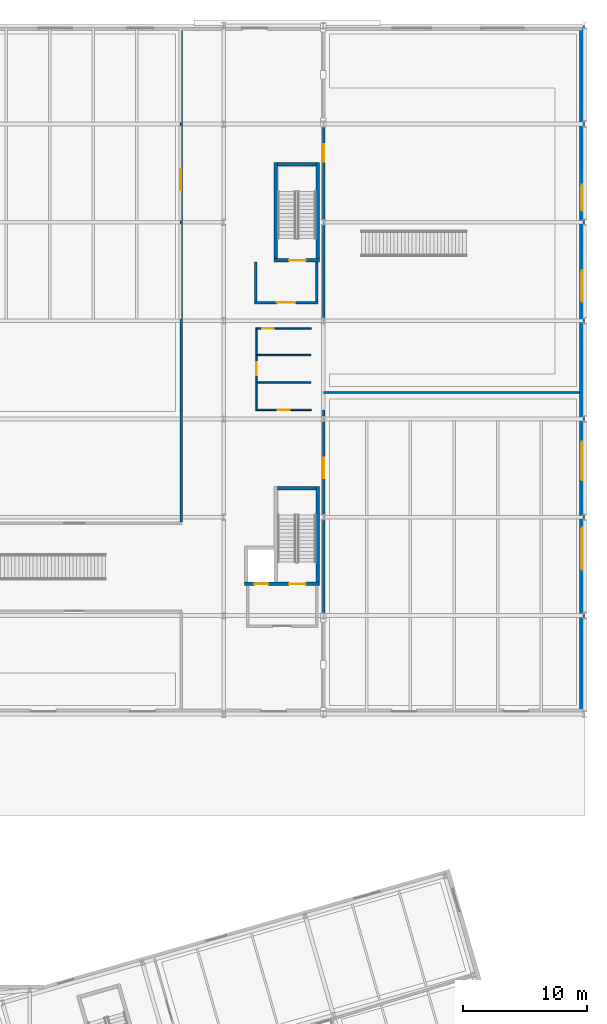
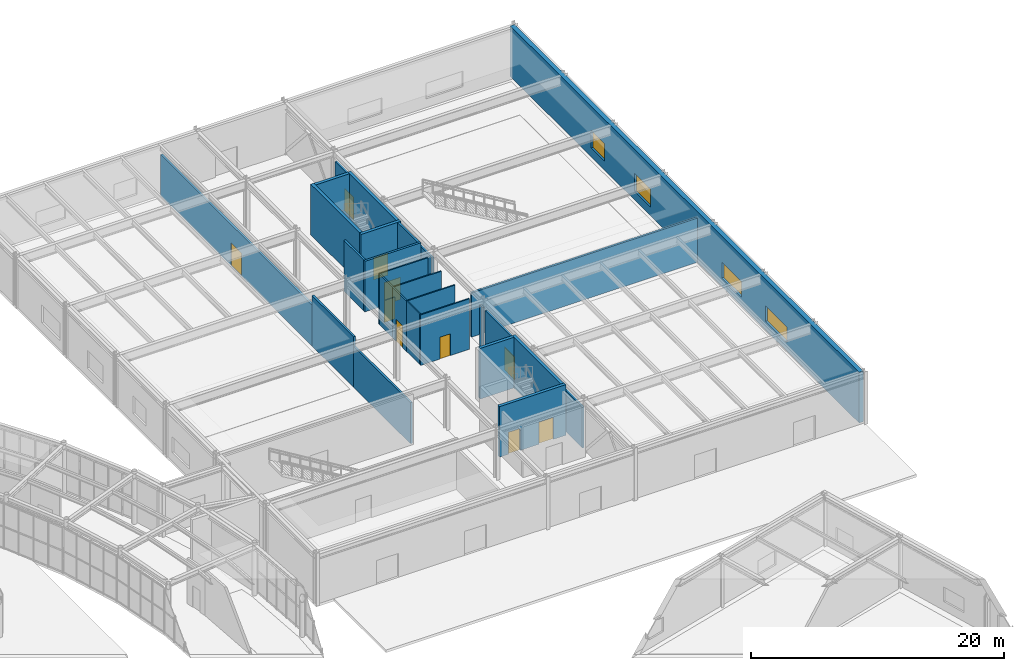
# One storey, part 79 of 97: 27 walls, 10 doors, 4 windows, 14 openings.
"""IFC4 building model written with IfcOpenShell, lengths in metres."""

from ifc_helpers import new_model, si_unit, direction, frame, frame_2d, origin, place, context, subcontext, project, spatial, rectangle, extrude, material, layer, layer_set, type_object, element, fill, save


model = new_model("IFC4")

# Units and contexts
model_context = context("Model", 3, precision=1e-05, world=origin(), true_north=direction((0.0, 1.0)))
body_context = subcontext(model_context, "Body", "Model", "MODEL_VIEW")
ifc_project = project(units=[si_unit("LENGTHUNIT", "METRE"), si_unit("AREAUNIT", "SQUARE_METRE"), si_unit("VOLUMEUNIT", "CUBIC_METRE"), si_unit("PLANEANGLEUNIT", "RADIAN"), si_unit("MASSUNIT", "GRAM", prefix="KILO")], contexts=[model_context])

# Site, building, storey
site_placement = place(None, origin())
site = spatial("IfcSite", under=ifc_project, at=site_placement, CompositionType="ELEMENT")
building_placement = place(site_placement, origin())
building = spatial("IfcBuilding", under=site, at=building_placement, Name="Varnklinge Art Gallery", CompositionType="ELEMENT")
storey_placement = place(building_placement, origin())
storey = spatial("IfcBuildingStorey", under=building, at=storey_placement, Name="L00", CompositionType="ELEMENT", Elevation=0.0)

# Wall, openings, windows
ifc_material_1 = material(Name="Concrete C45/55", Category="concrete")
ifc_layer_1 = layer(ifc_material_1, 0.39990234375)
ifc_layer_set_1 = layer_set([ifc_layer_1], Name="Concrete C45/55")
wall_type_1 = type_object("IfcWallType", Name="EW-40", PredefinedType="SOLIDWALL", material=ifc_layer_set_1)
wall_1_placement = place(storey_placement, frame((164.199951171875, 113.5, 0.0), z_axis=(0.0, 0.0, 1.0), x_axis=(0.0, -1.0, 0.0)))
wall_1 = element("IfcWall", 1, at=wall_1_placement, inside=storey, type_object=wall_type_1, Name="L00 Exterior Wall EW-V1-L00-04", PredefinedType="SOLIDWALL", context=body_context, shape_type="SweptSolid", body=[
    extrude(rectangle(XDim=55.10009765625, YDim=0.39990234375, at=frame_2d((27.550048828125, 0.0))), origin(), (0.0, 0.0, 1.0), 4.8798828125),
])
opening_1_placement = place(wall_1_placement, frame((12.77490234375, 0.0, 0.85009765625)))
opening_1 = element("IfcOpeningElement", 2, at=opening_1_placement, cuts=wall_1, Name="Opening WN-12", PredefinedType="OPENING", context=body_context, shape_type="SweptSolid", body=[
    extrude(rectangle(XDim=2.10009765625, YDim=1.699951171875, at=frame_2d((1.050048828125, 0.85009765625))), frame((0.0, 0.2099609375, 0.0), z_axis=(0.0, -1.0, 0.0), x_axis=(1.0, 0.0, 0.0)), (0.0, 0.0, 1.0), 0.419921875),
])
opening_2_placement = place(wall_1_placement, frame((19.66259765625, 0.0, 0.85009765625)))
opening_2 = element("IfcOpeningElement", 3, at=opening_2_placement, cuts=wall_1, Name="Opening WN-13", PredefinedType="OPENING", context=body_context, shape_type="SweptSolid", body=[
    extrude(rectangle(XDim=2.5, YDim=1.699951171875, at=frame_2d((1.25, 0.85009765625))), frame((0.0, 0.2099609375, 0.0), z_axis=(0.0, -1.0, 0.0), x_axis=(1.0, 0.0, 0.0)), (0.0, 0.0, 1.0), 0.419921875),
])
opening_3_placement = place(wall_1_placement, frame((33.4375, 0.0, 0.85009765625)))
opening_3 = element("IfcOpeningElement", 4, at=opening_3_placement, cuts=wall_1, Name="Opening WN-19", PredefinedType="OPENING", context=body_context, shape_type="SweptSolid", body=[
    extrude(rectangle(XDim=3.10009765625, YDim=1.5, at=frame_2d((1.550048828125, 0.75))), frame((0.0, 0.2099609375, 0.0), z_axis=(0.0, -1.0, 0.0), x_axis=(1.0, 0.0, 0.0)), (0.0, 0.0, 1.0), 0.419921875),
])
opening_4_placement = place(wall_1_placement, frame((40.324951171875, 0.0, 0.85009765625)))
opening_4 = element("IfcOpeningElement", 5, at=opening_4_placement, cuts=wall_1, Name="Opening WN-20", PredefinedType="OPENING", context=body_context, shape_type="SweptSolid", body=[
    extrude(rectangle(XDim=3.39990234375, YDim=1.5, at=frame_2d((1.699951171875, 0.75))), frame((0.0, 0.2099609375, 0.0), z_axis=(0.0, -1.0, 0.0), x_axis=(1.0, 0.0, 0.0)), (0.0, 0.0, 1.0), 0.419921875),
])
ifc_material_2 = material(Name="Insulated Low-E Triple Glazing", Category="glass")
window_type_1 = type_object("IfcWindowType", Name="WN-12", PartitioningType="SINGLE_PANEL", PredefinedType="WINDOW", material=ifc_material_2)
window_1_placement = place(opening_1_placement, origin())
window_1 = element("IfcWindow", 6, at=window_1_placement, inside=storey, type_object=window_type_1, Name="L00 Window WIN-L00-009", OverallHeight=1.699951171875, OverallWidth=2.10009765625, PartitioningType="SINGLE_PANEL", PredefinedType="WINDOW", context=body_context, shape_type="SweptSolid", body=[
    extrude(rectangle(XDim=2.10009765625, YDim=1.699951171875, at=frame_2d((1.050048828125, 0.85009765625))), frame((0.0, 0.030029296875, 0.0), z_axis=(0.0, -1.0, 0.0), x_axis=(1.0, 0.0, 0.0)), (0.0, 0.0, 1.0), 0.06005859375),
])
fill(opening_1, window_1)
ifc_material_3 = material(Name="Insulated Low-E Triple Glazing", Category="glass")
window_type_2 = type_object("IfcWindowType", Name="WN-13", PartitioningType="SINGLE_PANEL", PredefinedType="WINDOW", material=ifc_material_3)
window_2_placement = place(opening_2_placement, origin())
window_2 = element("IfcWindow", 7, at=window_2_placement, inside=storey, type_object=window_type_2, Name="L00 Window WIN-L00-010", OverallHeight=1.699951171875, OverallWidth=2.5, PartitioningType="SINGLE_PANEL", PredefinedType="WINDOW", context=body_context, shape_type="SweptSolid", body=[
    extrude(rectangle(XDim=2.5, YDim=1.699951171875, at=frame_2d((1.25, 0.85009765625))), frame((0.0, 0.030029296875, 0.0), z_axis=(0.0, -1.0, 0.0), x_axis=(1.0, 0.0, 0.0)), (0.0, 0.0, 1.0), 0.06005859375),
])
fill(opening_2, window_2)
ifc_material_4 = material(Name="Insulated Low-E Triple Glazing", Category="glass")
window_type_3 = type_object("IfcWindowType", Name="WN-19", PartitioningType="SINGLE_PANEL", PredefinedType="WINDOW", material=ifc_material_4)
window_3_placement = place(opening_3_placement, origin())
window_3 = element("IfcWindow", 8, at=window_3_placement, inside=storey, type_object=window_type_3, Name="L00 Window WIN-L00-011", OverallHeight=1.5, OverallWidth=3.10009765625, PartitioningType="SINGLE_PANEL", PredefinedType="WINDOW", context=body_context, shape_type="SweptSolid", body=[
    extrude(rectangle(XDim=3.10009765625, YDim=1.5, at=frame_2d((1.550048828125, 0.75))), frame((0.0, 0.030029296875, 0.0), z_axis=(0.0, -1.0, 0.0), x_axis=(1.0, 0.0, 0.0)), (0.0, 0.0, 1.0), 0.06005859375),
])
fill(opening_3, window_3)
ifc_material_5 = material(Name="Insulated Low-E Triple Glazing", Category="glass")
window_type_4 = type_object("IfcWindowType", Name="WN-20", PartitioningType="SINGLE_PANEL", PredefinedType="WINDOW", material=ifc_material_5)
window_4_placement = place(opening_4_placement, origin())
window_4 = element("IfcWindow", 9, at=window_4_placement, inside=storey, type_object=window_type_4, Name="L00 Window WIN-L00-012", OverallHeight=1.5, OverallWidth=3.39990234375, PartitioningType="SINGLE_PANEL", PredefinedType="WINDOW", context=body_context, shape_type="SweptSolid", body=[
    extrude(rectangle(XDim=3.39990234375, YDim=1.5, at=frame_2d((1.699951171875, 0.75))), frame((0.0, 0.030029296875, 0.0), z_axis=(0.0, -1.0, 0.0), x_axis=(1.0, 0.0, 0.0)), (0.0, 0.0, 1.0), 0.06005859375),
])
fill(opening_4, window_4)

# Wall, opening, door
ifc_material_6 = material(Name="Gypsum Board Partition", Category="gypsum")
ifc_layer_2 = layer(ifc_material_6, 0.1201171875)
ifc_layer_set_2 = layer_set([ifc_layer_2], Name="Gypsum Board Partition")
wall_type_2 = type_object("IfcWallType", Name="IW-12", PredefinedType="PARTITIONING", material=ifc_layer_set_2)
wall_2_placement = place(storey_placement, frame((137.969970703125, 82.6298828125, 0.0), z_axis=(0.0, 0.0, 1.0), x_axis=(1.0, 0.0, 0.0)))
wall_2 = element("IfcWall", 10, at=wall_2_placement, inside=storey, type_object=wall_type_2, Name="L00 Partition Wall IW-L00-0040", PredefinedType="PARTITIONING", context=body_context, shape_type="SweptSolid", body=[
    extrude(rectangle(XDim=4.4599609375, YDim=0.1201171875, at=frame_2d((2.22998046875, 0.0))), origin(), (0.0, 0.0, 1.0), 4.8701171875),
])
opening_5_placement = place(wall_2_placement, frame((1.75, 0.0, 0.0)))
opening_5 = element("IfcOpeningElement", 11, at=opening_5_placement, cuts=wall_2, Name="Opening D-L00-133", PredefinedType="OPENING", context=body_context, shape_type="SweptSolid", body=[
    extrude(rectangle(XDim=0.9599609375, YDim=2.10009765625, at=frame_2d((0.47998046875, 1.050048828125))), frame((0.0, 0.070068359375, 0.0), z_axis=(0.0, -1.0, 0.0), x_axis=(1.0, 0.0, 0.0)), (0.0, 0.0, 1.0), 0.14013671875),
])
ifc_material_7 = material(Name="Oak Timber Leaf", Category="wood")
door_type_1 = type_object("IfcDoorType", Name="ID-02", OperationType="SINGLE_SWING_RIGHT", PredefinedType="DOOR", material=ifc_material_7)
door_1_placement = place(opening_5_placement, origin())
door_1 = element("IfcDoor", 12, at=door_1_placement, inside=storey, type_object=door_type_1, Name="L00 L00 Accessible WC East Door D-L00-133", OperationType="SINGLE_SWING_LEFT", OverallHeight=2.10009765625, OverallWidth=0.9599609375, PredefinedType="DOOR", context=body_context, shape_type="SweptSolid", body=[
    extrude(rectangle(XDim=0.9599609375, YDim=2.10009765625, at=frame_2d((0.47998046875, 1.050048828125))), frame((0.0, 0.02490234375, 0.0), z_axis=(0.0, -1.0, 0.0), x_axis=(1.0, 0.0, 0.0)), (0.0, 0.0, 1.0), 0.050048828125),
])
fill(opening_5, door_1)

wall_3_placement = place(storey_placement, frame((142.429931640625, 89.169921875, 0.0), z_axis=(0.0, 0.0, 1.0), x_axis=(-1.0, 0.0, 0.0)))
wall_3 = element("IfcWall", 13, at=wall_3_placement, inside=storey, type_object=wall_type_2, Name="L00 Partition Wall IW-L00-0047", PredefinedType="PARTITIONING", context=body_context, shape_type="SweptSolid", body=[
    extrude(rectangle(XDim=4.4599609375, YDim=0.1201171875, at=frame_2d((2.22998046875, 0.0))), origin(), (0.0, 0.0, 1.0), 4.8701171875),
])
opening_6_placement = place(wall_3_placement, frame((2.998779296875, 0.0, 0.0)))
opening_6 = element("IfcOpeningElement", 14, at=opening_6_placement, cuts=wall_3, Name="Opening D-L00-135", PredefinedType="OPENING", context=body_context, shape_type="SweptSolid", body=[
    extrude(rectangle(XDim=0.9599609375, YDim=2.10009765625, at=frame_2d((0.47998046875, 1.050048828125))), frame((0.0, 0.070068359375, 0.0), z_axis=(0.0, -1.0, 0.0), x_axis=(1.0, 0.0, 0.0)), (0.0, 0.0, 1.0), 0.14013671875),
])
door_2_placement = place(opening_6_placement, origin())
door_2 = element("IfcDoor", 15, at=door_2_placement, inside=storey, type_object=door_type_1, Name="L00 L00 Public Male Toilet Door D-L00-135", OperationType="SINGLE_SWING_LEFT", OverallHeight=2.10009765625, OverallWidth=0.9599609375, PredefinedType="DOOR", context=body_context, shape_type="SweptSolid", body=[
    extrude(rectangle(XDim=0.9599609375, YDim=2.10009765625, at=frame_2d((0.47998046875, 1.050048828125))), frame((0.0, 0.02490234375, 0.0), z_axis=(0.0, -1.0, 0.0), x_axis=(1.0, 0.0, 0.0)), (0.0, 0.0, 1.0), 0.050048828125),
])
fill(opening_6, door_2)

# Wall
wall_4_placement = place(storey_placement, frame((138.030029296875, 84.830078125, 0.0), z_axis=(0.0, 0.0, 1.0), x_axis=(0.0, -1.0, 0.0)))
element("IfcWall", 16, at=wall_4_placement, inside=storey, type_object=wall_type_2, Name="L00 Partition Wall IW-L00-0052", PredefinedType="PARTITIONING", context=body_context, shape_type="SweptSolid", body=[
    extrude(rectangle(XDim=2.125, YDim=0.1201171875, at=frame_2d((1.0625, 0.0))), origin(), (0.0, 0.0, 1.0), 4.8701171875),
])

# Wall, opening, door
wall_5_placement = place(storey_placement, frame((138.030029296875, 87.030029296875, 0.0), z_axis=(0.0, 0.0, 1.0), x_axis=(0.0, -1.0, 0.0)))
wall_5 = element("IfcWall", 17, at=wall_5_placement, inside=storey, type_object=wall_type_2, Name="L00 Partition Wall IW-L00-0053", PredefinedType="PARTITIONING", context=body_context, shape_type="SweptSolid", body=[
    extrude(rectangle(XDim=2.199951171875, YDim=0.1201171875, at=frame_2d((1.10009765625, 0.0))), origin(), (0.0, 0.0, 1.0), 4.8701171875),
])
opening_7_placement = place(wall_5_placement, frame((0.590087890625, 0.0, 0.0)))
opening_7 = element("IfcOpeningElement", 18, at=opening_7_placement, cuts=wall_5, Name="Opening D-L00-138", PredefinedType="OPENING", context=body_context, shape_type="SweptSolid", body=[
    extrude(rectangle(XDim=1.02001953125, YDim=2.1201171875, at=frame_2d((0.510009765625, 1.06005859375))), frame((0.0, 0.070068359375, 0.0), z_axis=(0.0, -1.0, 0.0), x_axis=(1.0, 0.0, 0.0)), (0.0, 0.0, 1.0), 0.14013671875),
])
ifc_material_8 = material(Name="Oak Timber Leaf", Category="wood")
door_type_2 = type_object("IfcDoorType", Name="ID-03", OperationType="SINGLE_SWING_LEFT", PredefinedType="DOOR", material=ifc_material_8)
door_3_placement = place(opening_7_placement, origin())
door_3 = element("IfcDoor", 19, at=door_3_placement, inside=storey, type_object=door_type_2, Name="L00 L00 Public Female Toilet Door D-L00-138", OperationType="SINGLE_SWING_RIGHT", OverallHeight=2.1201171875, OverallWidth=1.02001953125, PredefinedType="DOOR", context=body_context, shape_type="SweptSolid", body=[
    extrude(rectangle(XDim=1.02001953125, YDim=2.1201171875, at=frame_2d((0.510009765625, 1.06005859375))), frame((0.0, 0.02490234375, 0.0), z_axis=(0.0, -1.0, 0.0), x_axis=(1.0, 0.0, 0.0)), (0.0, 0.0, 1.0), 0.050048828125),
])
fill(opening_7, door_3)

# Walls
wall_6_placement = place(storey_placement, frame((138.030029296875, 89.094970703125, 0.0), z_axis=(0.0, 0.0, 1.0), x_axis=(0.0, -1.0, 0.0)))
element("IfcWall", 20, at=wall_6_placement, inside=storey, type_object=wall_type_2, Name="L00 Partition Wall IW-L00-0054", PredefinedType="PARTITIONING", context=body_context, shape_type="SweptSolid", body=[
    extrude(rectangle(XDim=2.06494140625, YDim=0.1201171875, at=frame_2d((1.032470703125, 0.0))), origin(), (0.0, 0.0, 1.0), 4.8701171875),
])
for number, where, z_axis, x_axis, name in (
    (21, (138.10498046875, 84.830078125, 0.0), (0.0, 0.0, 1.0), (1.0, 0.0, 0.0), "L00 Partition Wall IW-L00-0128"),
    (22, (138.10498046875, 87.030029296875, 0.0), (0.0, 0.0, 1.0), (1.0, 0.0, 0.0), "L00 Partition Wall IW-L00-0129"),
):
    element("IfcWall", number, at=place(storey_placement, frame(where, z_axis=z_axis, x_axis=x_axis)), inside=storey, type_object=wall_type_2, Name=name, PredefinedType="PARTITIONING", context=body_context, shape_type="SweptSolid", body=[
        extrude(rectangle(XDim=4.294921875, YDim=0.1201171875, at=frame_2d((2.1474609375, 0.0))), origin(), (0.0, 0.0, 1.0), 4.8701171875),
    ])
ifc_material_9 = material(Name="Gypsum Board Partition", Category="gypsum")
ifc_layer_3 = layer(ifc_material_9, 0.179931640625)
ifc_layer_set_3 = layer_set([ifc_layer_3], Name="Gypsum Board Partition")
wall_type_3 = type_object("IfcWallType", Name="IW-18", PredefinedType="PARTITIONING", material=ifc_layer_set_3)
wall_7_placement = place(storey_placement, frame((131.969970703125, 73.635009765625, 0.0), z_axis=(0.0, 0.0, 1.0), x_axis=(0.0, 1.0, 0.0)))
element("IfcWall", 23, at=wall_7_placement, inside=storey, type_object=wall_type_3, Name="L00 Partition Wall IW-L00-0042", PredefinedType="PARTITIONING", context=body_context, shape_type="SweptSolid", body=[
    extrude(rectangle(XDim=8.965087890625, YDim=0.179931640625, at=frame_2d((4.482421875, 0.0))), origin(), (0.0, 0.0, 1.0), 3.9599609375),
])

# Wall, opening, door
wall_8_placement = place(storey_placement, frame((143.429931640625, 81.662109375, 0.0), z_axis=(0.0, 0.0, 1.0), x_axis=(0.0, -1.0, 0.0)))
wall_8 = element("IfcWall", 24, at=wall_8_placement, inside=storey, type_object=wall_type_3, Name="L00 Partition Wall IW-L00-0043", PredefinedType="PARTITIONING", context=body_context, shape_type="SweptSolid", body=[
    extrude(rectangle(XDim=7.42431640625, YDim=0.179931640625, at=frame_2d((3.712158203125, 0.0))), origin(), (0.0, 0.0, 1.0), 3.9599609375),
])
opening_8_placement = place(wall_8_placement, frame((2.89208984375, 0.0, 0.0)))
opening_8 = element("IfcOpeningElement", 25, at=opening_8_placement, cuts=wall_8, Name="Opening D-L00-134", PredefinedType="OPENING", context=body_context, shape_type="SweptSolid", body=[
    extrude(rectangle(XDim=1.639892578125, YDim=2.199951171875, at=frame_2d((0.81982421875, 1.10009765625))), frame((0.0, 0.099853515625, 0.0), z_axis=(0.0, -1.0, 0.0), x_axis=(1.0, 0.0, 0.0)), (0.0, 0.0, 1.0), 0.199951171875),
])
ifc_material_10 = material(Name="Oak Timber Leaf", Category="wood")
door_type_3 = type_object("IfcDoorType", Name="ID-08", OperationType="DOUBLE_DOOR_SINGLE_SWING", PredefinedType="DOOR", material=ifc_material_10)
door_4_placement = place(opening_8_placement, origin())
door_4 = element("IfcDoor", 26, at=door_4_placement, inside=storey, type_object=door_type_3, Name="L00 L00 Special Loan Exhibition Gallery Door D-L00-134", OperationType="DOUBLE_DOOR_SINGLE_SWING", OverallHeight=2.199951171875, OverallWidth=1.639892578125, PredefinedType="DOOR", context=body_context, shape_type="SweptSolid", body=[
    extrude(rectangle(XDim=1.639892578125, YDim=2.199951171875, at=frame_2d((0.81982421875, 1.10009765625))), frame((0.0, 0.02490234375, 0.0), z_axis=(0.0, -1.0, 0.0), x_axis=(1.0, 0.0, 0.0)), (0.0, 0.0, 1.0), 0.050048828125),
])
fill(opening_8, door_4)

# Walls
wall_9_placement = place(storey_placement, frame((143.429931640625, 73.76220703125, 0.0), z_axis=(0.0, 0.0, 1.0), x_axis=(0.0, -1.0, 0.0)))
element("IfcWall", 27, at=wall_9_placement, inside=storey, type_object=wall_type_3, Name="L00 Partition Wall IW-L00-0044", PredefinedType="PARTITIONING", context=body_context, shape_type="SweptSolid", body=[
    extrude(rectangle(XDim=7.42431640625, YDim=0.179931640625, at=frame_2d((3.712158203125, 0.0))), origin(), (0.0, 0.0, 1.0), 3.9599609375),
])
wall_10_placement = place(storey_placement, frame((143.429931640625, 82.602783203125, 0.0), z_axis=(0.0, 0.0, 1.0), x_axis=(0.0, -1.0, 0.0)))
element("IfcWall", 28, at=wall_10_placement, inside=storey, type_object=wall_type_3, Name="L00 Partition Wall IW-L00-0046", PredefinedType="PARTITIONING", context=body_context, shape_type="SweptSolid", body=[
    extrude(rectangle(XDim=0.46484375, YDim=0.179931640625, at=frame_2d((0.232421875, 0.0))), origin(), (0.0, 0.0, 1.0), 3.9599609375),
])

# Wall, opening, door
wall_11_placement = place(storey_placement, frame((131.969970703125, 89.199951171875, 0.0), z_axis=(0.0, 0.0, 1.0), x_axis=(0.0, 1.0, 0.0)))
wall_11 = element("IfcWall", 29, at=wall_11_placement, inside=storey, type_object=wall_type_3, Name="L00 Partition Wall IW-L00-0048", PredefinedType="PARTITIONING", context=body_context, shape_type="SweptSolid", body=[
    extrude(rectangle(XDim=23.89599609375, YDim=0.179931640625, at=frame_2d((11.947998046875, 0.0))), origin(), (0.0, 0.0, 1.0), 3.9599609375),
])
opening_9_placement = place(wall_11_placement, frame((11.1279296875, 0.0, 0.0)))
opening_9 = element("IfcOpeningElement", 30, at=opening_9_placement, cuts=wall_11, Name="Opening D-L00-136", PredefinedType="OPENING", context=body_context, shape_type="SweptSolid", body=[
    extrude(rectangle(XDim=1.639892578125, YDim=2.199951171875, at=frame_2d((0.81982421875, 1.10009765625))), frame((0.0, 0.099853515625, 0.0), z_axis=(0.0, -1.0, 0.0), x_axis=(1.0, 0.0, 0.0)), (0.0, 0.0, 1.0), 0.199951171875),
])
door_5_placement = place(opening_9_placement, origin())
door_5 = element("IfcDoor", 31, at=door_5_placement, inside=storey, type_object=door_type_3, Name="L00 L00 Modern Painting Exhibition Gallery Door D-L00-136", OperationType="DOUBLE_DOOR_SINGLE_SWING", OverallHeight=2.199951171875, OverallWidth=1.639892578125, PredefinedType="DOOR", context=body_context, shape_type="SweptSolid", body=[
    extrude(rectangle(XDim=1.639892578125, YDim=2.199951171875, at=frame_2d((0.81982421875, 1.10009765625))), frame((0.0, 0.02490234375, 0.0), z_axis=(0.0, -1.0, 0.0), x_axis=(1.0, 0.0, 0.0)), (0.0, 0.0, 1.0), 0.050048828125),
])
fill(opening_9, door_5)

# Wall
wall_12_placement = place(storey_placement, frame((143.429931640625, 97.462158203125, 0.0), z_axis=(0.0, 0.0, 1.0), x_axis=(0.0, -1.0, 0.0)))
element("IfcWall", 32, at=wall_12_placement, inside=storey, type_object=wall_type_3, Name="L00 Partition Wall IW-L00-0049", PredefinedType="PARTITIONING", context=body_context, shape_type="SweptSolid", body=[
    extrude(rectangle(XDim=7.42431640625, YDim=0.179931640625, at=frame_2d((3.712158203125, 0.0))), origin(), (0.0, 0.0, 1.0), 3.9599609375),
])

# Wall, opening, door
wall_13_placement = place(storey_placement, frame((143.429931640625, 105.362060546875, 0.0), z_axis=(0.0, 0.0, 1.0), x_axis=(0.0, -1.0, 0.0)))
wall_13 = element("IfcWall", 33, at=wall_13_placement, inside=storey, type_object=wall_type_3, Name="L00 Partition Wall IW-L00-0050", PredefinedType="PARTITIONING", context=body_context, shape_type="SweptSolid", body=[
    extrude(rectangle(XDim=7.424072265625, YDim=0.179931640625, at=frame_2d((3.7119140625, 0.0))), origin(), (0.0, 0.0, 1.0), 3.9599609375),
])
opening_10_placement = place(wall_13_placement, frame((1.368896484375, 0.0, 0.0)))
opening_10 = element("IfcOpeningElement", 34, at=opening_10_placement, cuts=wall_13, Name="Opening D-L00-137", PredefinedType="OPENING", context=body_context, shape_type="SweptSolid", body=[
    extrude(rectangle(XDim=1.419921875, YDim=2.179931640625, at=frame_2d((0.7099609375, 1.08984375))), frame((0.0, 0.099853515625, 0.0), z_axis=(0.0, -1.0, 0.0), x_axis=(1.0, 0.0, 0.0)), (0.0, 0.0, 1.0), 0.199951171875),
])
ifc_material_11 = material(Name="Oak Timber Leaf", Category="wood")
door_type_4 = type_object("IfcDoorType", Name="ID-07", OperationType="DOUBLE_DOOR_SINGLE_SWING", PredefinedType="DOOR", material=ifc_material_11)
door_6_placement = place(opening_10_placement, origin())
door_6 = element("IfcDoor", 35, at=door_6_placement, inside=storey, type_object=door_type_4, Name="L00 L00 Installation Exhibition Gallery Door D-L00-137", OperationType="DOUBLE_DOOR_SINGLE_SWING", OverallHeight=2.179931640625, OverallWidth=1.419921875, PredefinedType="DOOR", context=body_context, shape_type="SweptSolid", body=[
    extrude(rectangle(XDim=1.419921875, YDim=2.179931640625, at=frame_2d((0.7099609375, 1.08984375))), frame((0.0, 0.02490234375, 0.0), z_axis=(0.0, -1.0, 0.0), x_axis=(1.0, 0.0, 0.0)), (0.0, 0.0, 1.0), 0.050048828125),
])
fill(opening_10, door_6)

# Walls
wall_14_placement = place(storey_placement, frame((131.969970703125, 82.60009765625, 0.0), z_axis=(0.0, 0.0, 1.0), x_axis=(0.0, 1.0, 0.0)))
element("IfcWall", 36, at=wall_14_placement, inside=storey, type_object=wall_type_3, Name="L00 Partition Wall IW-L00-0055", PredefinedType="PARTITIONING", context=body_context, shape_type="SweptSolid", body=[
    extrude(rectangle(XDim=6.599853515625, YDim=0.179931640625, at=frame_2d((3.2998046875, 0.0))), origin(), (0.0, 0.0, 1.0), 4.8701171875),
])
wall_15_placement = place(storey_placement, frame((143.39990234375, 84.030029296875, 0.0), z_axis=(0.0, 0.0, 1.0), x_axis=(1.0, 0.0, 0.0)))
element("IfcWall", 37, at=wall_15_placement, inside=storey, type_object=wall_type_3, Name="L00 Partition Wall IW-L00-0130", PredefinedType="PARTITIONING", context=body_context, shape_type="SweptSolid", body=[
    extrude(rectangle(XDim=20.59619140625, YDim=0.179931640625, at=frame_2d((10.298095703125, 0.0))), origin(), (0.0, 0.0, 1.0), 4.260009765625),
])
ifc_material_12 = material(Name="Concrete C40/50", Category="concrete")
ifc_layer_4 = layer(ifc_material_12, 0.199951171875)
ifc_layer_set_4 = layer_set([ifc_layer_4], Name="Concrete C40/50")
wall_type_4 = type_object("IfcWallType", Name="IW-20", PredefinedType="PARTITIONING", material=ifc_layer_set_4)
for number, where, z_axis, x_axis, name in (
    (38, (142.85009765625, 91.35009765625, 0.0), (0.0, 0.0, 1.0), (0.0, 1.0, 0.0), "L00 Core C7 Lobby South Wall"),
    (39, (137.949951171875, 94.5, 0.0), (0.0, 0.0, 1.0), (0.0, -1.0, 0.0), "L00 Core C7 Lobby North Wall"),
):
    element("IfcWall", number, at=place(storey_placement, frame(where, z_axis=z_axis, x_axis=x_axis)), inside=storey, type_object=wall_type_4, Name=name, PredefinedType="PARTITIONING", context=body_context, shape_type="SweptSolid", body=[
        extrude(rectangle(XDim=3.14990234375, YDim=0.199951171875, at=frame_2d((1.574951171875, 0.0))), origin(), (0.0, 0.0, 1.0), 4.8798828125),
    ])

# Wall, opening, door
wall_16_placement = place(storey_placement, frame((142.949951171875, 91.25, 0.0), z_axis=(0.0, 0.0, 1.0), x_axis=(-1.0, 0.0, 0.0)))
wall_16 = element("IfcWall", 40, at=wall_16_placement, inside=storey, type_object=wall_type_4, Name="L00 Core C7 Lobby Corridor Wall", PredefinedType="PARTITIONING", context=body_context, shape_type="SweptSolid", body=[
    extrude(rectangle(XDim=5.099853515625, YDim=0.199951171875, at=frame_2d((2.5498046875, 0.0))), origin(), (0.0, 0.0, 1.0), 4.8798828125),
])
opening_11_placement = place(wall_16_placement, frame((1.81005859375, 0.0, 0.0)))
opening_11 = element("IfcOpeningElement", 41, at=opening_11_placement, cuts=wall_16, Name="Opening D-L00-103", PredefinedType="OPENING", context=body_context, shape_type="SweptSolid", body=[
    extrude(rectangle(XDim=1.47998046875, YDim=2.14990234375, at=frame_2d((0.739990234375, 1.074951171875))), frame((0.0, 0.110107421875, 0.0), z_axis=(0.0, -1.0, 0.0), x_axis=(1.0, 0.0, 0.0)), (0.0, 0.0, 1.0), 0.219970703125),
])
ifc_material_13 = material(Name="Galvanised Fire-Rated Steel", Category="steel")
door_type_5 = type_object("IfcDoorType", Name="ID-LB1", OperationType="DOUBLE_DOOR_SINGLE_SWING", PredefinedType="DOOR", material=ifc_material_13)
door_7_placement = place(opening_11_placement, origin())
door_7 = element("IfcDoor", 42, at=door_7_placement, inside=storey, type_object=door_type_5, Name="L00 Core C7 Protected Lobby Door D-L00-103", OperationType="DOUBLE_DOOR_SINGLE_SWING", OverallHeight=2.14990234375, OverallWidth=1.47998046875, PredefinedType="DOOR", context=body_context, shape_type="SweptSolid", body=[
    extrude(rectangle(XDim=1.47998046875, YDim=2.14990234375, at=frame_2d((0.739990234375, 1.074951171875))), frame((0.0, 0.02490234375, 0.0), z_axis=(0.0, -1.0, 0.0), x_axis=(1.0, 0.0, 0.0)), (0.0, 0.0, 1.0), 0.050048828125),
])
fill(opening_11, door_7)

# Walls
ifc_material_14 = material(Name="Concrete C40/50", Category="concrete")
ifc_layer_5 = layer(ifc_material_14, 0.280029296875)
ifc_layer_set_5 = layer_set([ifc_layer_5], Name="Concrete C40/50")
wall_type_5 = type_object("IfcWallType", Name="SW-28", PredefinedType="SHEAR", material=ifc_layer_set_5)
wall_17_placement = place(storey_placement, frame((142.949951171875, 68.7900390625, 0.0), z_axis=(0.0, 0.0, 1.0), x_axis=(0.0, 1.0, 0.0)))
element("IfcWall", 43, at=wall_17_placement, inside=storey, type_object=wall_type_5, Name="L00 Core C3 South Shear Wall", PredefinedType="SHEAR", context=body_context, shape_type="SweptSolid", body=[
    extrude(rectangle(XDim=7.699951171875, YDim=0.280029296875, at=frame_2d((3.85009765625, 0.0))), origin(), (0.0, 0.0, 1.0), 4.8798828125),
])
wall_18_placement = place(storey_placement, frame((142.81005859375, 76.35009765625, 0.0), z_axis=(0.0, 0.0, 1.0), x_axis=(-1.0, 0.0, 0.0)))
element("IfcWall", 44, at=wall_18_placement, inside=storey, type_object=wall_type_5, Name="L00 Core C3 East Shear Wall", PredefinedType="SHEAR", context=body_context, shape_type="SweptSolid", body=[
    extrude(rectangle(XDim=3.080078125, YDim=0.280029296875, at=frame_2d((1.5400390625, 0.0))), origin(), (0.0, 0.0, 1.0), 4.8798828125),
])

# Wall, openings, doors
wall_19_placement = place(storey_placement, frame((137.050048828125, 68.64990234375, 0.0), z_axis=(0.0, 0.0, 1.0), x_axis=(1.0, 0.0, 0.0)))
wall_19 = element("IfcWall", 45, at=wall_19_placement, inside=storey, type_object=wall_type_5, Name="L00 Core C3 Front Shear Wall", PredefinedType="SHEAR", context=body_context, shape_type="SweptSolid", body=[
    extrude(rectangle(XDim=6.0400390625, YDim=0.280029296875, at=frame_2d((3.02001953125, 0.0))), origin(), (0.0, 0.0, 1.0), 4.8798828125),
])
opening_12_placement = place(wall_19_placement, frame((0.800048828125, 0.0, 0.0)))
opening_12 = element("IfcOpeningElement", 46, at=opening_12_placement, cuts=wall_19, Name="Opening LD-L00-052", PredefinedType="OPENING", context=body_context, shape_type="SweptSolid", body=[
    extrude(rectangle(XDim=1.10009765625, YDim=2.1201171875, at=frame_2d((0.550048828125, 1.06005859375))), frame((0.0, 0.150146484375, 0.0), z_axis=(0.0, -1.0, 0.0), x_axis=(1.0, 0.0, 0.0)), (0.0, 0.0, 1.0), 0.300048828125),
])
opening_13_placement = place(wall_19_placement, frame((3.60009765625, 0.0, 0.0)))
opening_13 = element("IfcOpeningElement", 47, at=opening_13_placement, cuts=wall_19, Name="Opening D-L00-053", PredefinedType="OPENING", context=body_context, shape_type="SweptSolid", body=[
    extrude(rectangle(XDim=1.320068359375, YDim=2.1201171875, at=frame_2d((0.66015625, 1.06005859375))), frame((0.0, 0.150146484375, 0.0), z_axis=(0.0, -1.0, 0.0), x_axis=(1.0, 0.0, 0.0)), (0.0, 0.0, 1.0), 0.300048828125),
])
ifc_material_15 = material(Name="Galvanised Fire-Rated Steel", Category="steel")
door_type_6 = type_object("IfcDoorType", Name="ID-ST1", OperationType="SINGLE_SWING_LEFT", PredefinedType="DOOR", material=ifc_material_15)
door_8_placement = place(opening_13_placement, origin())
door_8 = element("IfcDoor", 48, at=door_8_placement, inside=storey, type_object=door_type_6, Name="L00 Stair ST-03 Fire Door D-L00-053", OperationType="SINGLE_SWING_RIGHT", OverallHeight=2.1201171875, OverallWidth=1.320068359375, PredefinedType="DOOR", context=body_context, shape_type="SweptSolid", body=[
    extrude(rectangle(XDim=1.320068359375, YDim=2.1201171875, at=frame_2d((0.66015625, 1.06005859375))), frame((0.0, 0.02490234375, 0.0), z_axis=(0.0, -1.0, 0.0), x_axis=(1.0, 0.0, 0.0)), (0.0, 0.0, 1.0), 0.050048828125),
])
fill(opening_13, door_8)
ifc_material_16 = material(Name="Anodised Aluminium", Category="aluminium")
door_type_7 = type_object("IfcDoorType", Name="LD-PAX", OperationType="SLIDING_TO_LEFT", PredefinedType="DOOR", material=ifc_material_16)
door_9_placement = place(opening_12_placement, origin())
door_9 = element("IfcDoor", 49, at=door_9_placement, inside=storey, type_object=door_type_7, Name="L00 LF-03 Sliding Landing Door LD-L00-052", OperationType="SLIDING_TO_LEFT", OverallHeight=2.1201171875, OverallWidth=1.10009765625, PredefinedType="DOOR", context=body_context, shape_type="SweptSolid", body=[
    extrude(rectangle(XDim=1.10009765625, YDim=2.1201171875, at=frame_2d((0.550048828125, 1.06005859375))), frame((0.0, 0.02490234375, 0.0), z_axis=(0.0, -1.0, 0.0), x_axis=(1.0, 0.0, 0.0)), (0.0, 0.0, 1.0), 0.050048828125),
])
fill(opening_12, door_9)

# Walls
wall_20_placement = place(storey_placement, frame((142.949951171875, 94.7900390625, 0.0), z_axis=(0.0, 0.0, 1.0), x_axis=(0.0, 1.0, 0.0)))
element("IfcWall", 50, at=wall_20_placement, inside=storey, type_object=wall_type_5, Name="L00 Core C7 South Shear Wall", PredefinedType="SHEAR", context=body_context, shape_type="SweptSolid", body=[
    extrude(rectangle(XDim=7.699951171875, YDim=0.280029296875, at=frame_2d((3.85009765625, 0.0))), origin(), (0.0, 0.0, 1.0), 4.8798828125),
])
wall_21_placement = place(storey_placement, frame((142.81005859375, 102.35009765625, 0.0), z_axis=(0.0, 0.0, 1.0), x_axis=(-1.0, 0.0, 0.0)))
element("IfcWall", 51, at=wall_21_placement, inside=storey, type_object=wall_type_5, Name="L00 Core C7 East Shear Wall", PredefinedType="SHEAR", context=body_context, shape_type="SweptSolid", body=[
    extrude(rectangle(XDim=3.080078125, YDim=0.280029296875, at=frame_2d((1.5400390625, 0.0))), origin(), (0.0, 0.0, 1.0), 4.8798828125),
])
wall_22_placement = place(storey_placement, frame((139.590087890625, 102.489990234375, 0.0), z_axis=(0.0, 0.0, 1.0), x_axis=(0.0, -1.0, 0.0)))
element("IfcWall", 52, at=wall_22_placement, inside=storey, type_object=wall_type_5, Name="L00 Core C7 Dividing Shear Wall", PredefinedType="SHEAR", context=body_context, shape_type="SweptSolid", body=[
    extrude(rectangle(XDim=7.699951171875, YDim=0.280029296875, at=frame_2d((3.85009765625, 0.0))), origin(), (0.0, 0.0, 1.0), 4.8798828125),
])

# Wall, opening, door
wall_23_placement = place(storey_placement, frame((139.449951171875, 94.64990234375, 0.0), z_axis=(0.0, 0.0, 1.0), x_axis=(1.0, 0.0, 0.0)))
wall_23 = element("IfcWall", 53, at=wall_23_placement, inside=storey, type_object=wall_type_5, Name="L00 Core C7 Front Shear Wall", PredefinedType="SHEAR", context=body_context, shape_type="SweptSolid", body=[
    extrude(rectangle(XDim=3.64013671875, YDim=0.280029296875, at=frame_2d((1.820068359375, 0.0))), origin(), (0.0, 0.0, 1.0), 4.8798828125),
])
opening_14_placement = place(wall_23_placement, frame((1.199951171875, 0.0, 0.0)))
opening_14 = element("IfcOpeningElement", 54, at=opening_14_placement, cuts=wall_23, Name="Opening D-L00-102", PredefinedType="OPENING", context=body_context, shape_type="SweptSolid", body=[
    extrude(rectangle(XDim=1.320068359375, YDim=2.1201171875, at=frame_2d((0.66015625, 1.06005859375))), frame((0.0, 0.150146484375, 0.0), z_axis=(0.0, -1.0, 0.0), x_axis=(1.0, 0.0, 0.0)), (0.0, 0.0, 1.0), 0.300048828125),
])
door_10_placement = place(opening_14_placement, origin())
door_10 = element("IfcDoor", 55, at=door_10_placement, inside=storey, type_object=door_type_6, Name="L00 Stair ST-07 Fire Door D-L00-102", OperationType="SINGLE_SWING_RIGHT", OverallHeight=2.1201171875, OverallWidth=1.320068359375, PredefinedType="DOOR", context=body_context, shape_type="SweptSolid", body=[
    extrude(rectangle(XDim=1.320068359375, YDim=2.1201171875, at=frame_2d((0.66015625, 1.06005859375))), frame((0.0, 0.02490234375, 0.0), z_axis=(0.0, -1.0, 0.0), x_axis=(1.0, 0.0, 0.0)), (0.0, 0.0, 1.0), 0.050048828125),
])
fill(opening_14, door_10)

save(model, "model.ifc")
